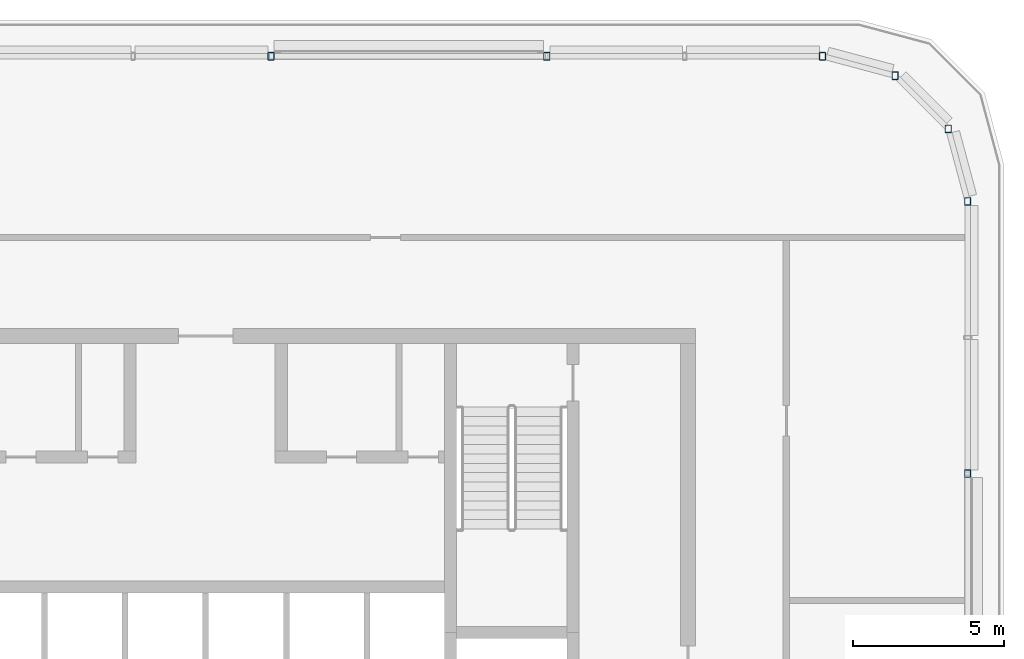
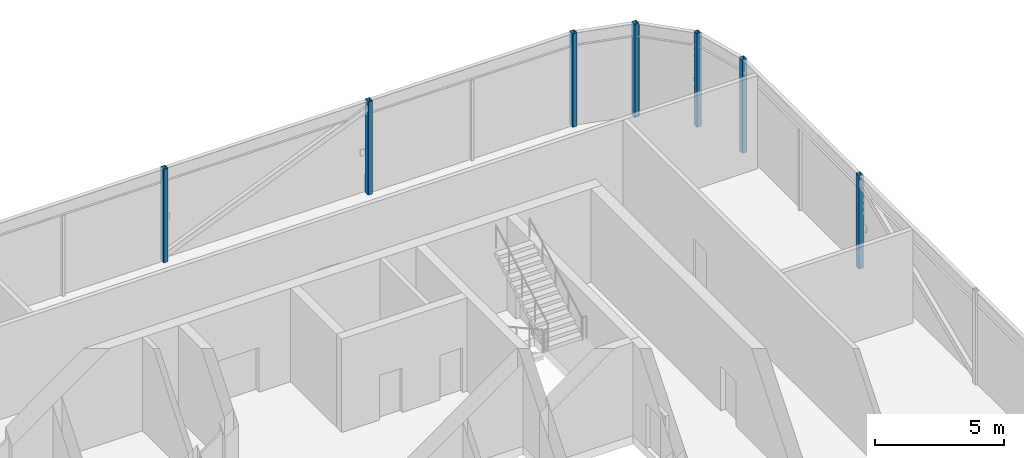
# One storey, part 4 of 29: 7 columns.
"""IFC4 building model written with IfcOpenShell, lengths in metres."""

from ifc_helpers import new_model, si_unit, direction, frame, origin, origin_2d, place, context, subcontext, project, spatial, hollow_rectangle, extrude, material, material_profile, profile_set, type_object, element, save


model = new_model("IFC4")

# Units and contexts
model_context = context("Model", 3, precision=1e-05, world=origin(), true_north=direction((0.0, 1.0)))
body_context = subcontext(model_context, "Body", "Model", "MODEL_VIEW")
ifc_project = project(units=[si_unit("LENGTHUNIT", "METRE"), si_unit("AREAUNIT", "SQUARE_METRE"), si_unit("VOLUMEUNIT", "CUBIC_METRE"), si_unit("PLANEANGLEUNIT", "RADIAN"), si_unit("MASSUNIT", "GRAM", prefix="KILO")], contexts=[model_context])

# Site, building, storey
site_placement = place(None, origin())
site = spatial("IfcSite", under=ifc_project, at=site_placement, CompositionType="ELEMENT")
building_placement = place(site_placement, origin())
building = spatial("IfcBuilding", under=site, at=building_placement, Name="Madar Terraces", CompositionType="ELEMENT")
storey_placement = place(building_placement, frame((0.0, 0.0, 296.300048828125)))
storey = spatial("IfcBuildingStorey", under=building, at=storey_placement, Name="L77", CompositionType="ELEMENT", Elevation=296.300048828125)

# Columns
ifc_material = material(Name="Steel ASTM A500 Grade C", Category="steel")
ifc_material_profile = material_profile(ifc_material, hollow_rectangle(XDim=0.203125, YDim=0.25390625, WallThickness=0.009521484375, InnerFilletRadius=0.00439453125, OuterFilletRadius=0.01318359375, at=origin_2d()), Name="HSS10x8x.375")
ifc_profile_set = profile_set([ifc_material_profile], Name="Steel ASTM A500 Grade C")
column_type = type_object("IfcColumnType", Name="CF1 HSS10x8x.375", PredefinedType="COLUMN", material=ifc_profile_set)
for number, where, z_axis, x_axis, name in (
    (1, (56.39990234375, 33.0, 0.0), (0.0, 0.0, 1.0), (1.0, 0.0, 0.0), "Crown frame column CF1"),
    (2, (56.39990234375, 42.0, 0.0), (0.0, 0.0, 1.0), (1.0, 0.0, 0.0), "Crown frame column CF1"),
    (3, (55.7568359375, 44.39990234375, 0.0), (0.0, 0.0, 1.0), (1.0, 0.0, 0.0), "Crown frame column CF1"),
    (4, (54.0, 46.156982421875, 0.0), (0.0, 0.0, 1.0), (1.0, 0.0, 0.0), "Crown frame column CF1"),
    (5, (51.60009765625, 46.800048828125, 0.0), (0.0, 0.0, 1.0), (1.0, 0.0, 0.0), "Crown frame column CF1"),
    (6, (42.47998046875, 46.800048828125, 0.0), (0.0, 0.0, 1.0), (1.0, 0.0, 0.0), "Crown frame column CF1"),
    (7, (33.360107421875, 46.800048828125, 0.0), (0.0, 0.0, 1.0), (1.0, 0.0, 0.0), "Crown frame column CF1"),
):
    element("IfcColumn", number, at=place(storey_placement, frame(where, z_axis=z_axis, x_axis=x_axis)), inside=storey, type_object=column_type, Name=name, PredefinedType="COLUMN", context=body_context, shape_type="SweptSolid", body=[
        extrude(hollow_rectangle(XDim=0.203125, YDim=0.25390625, WallThickness=0.009521484375, InnerFilletRadius=0.00439453125, OuterFilletRadius=0.01318359375, at=origin_2d()), origin(), (0.0, 0.0, 1.0), 4.39990234375),
    ])

save(model, "model.ifc")
